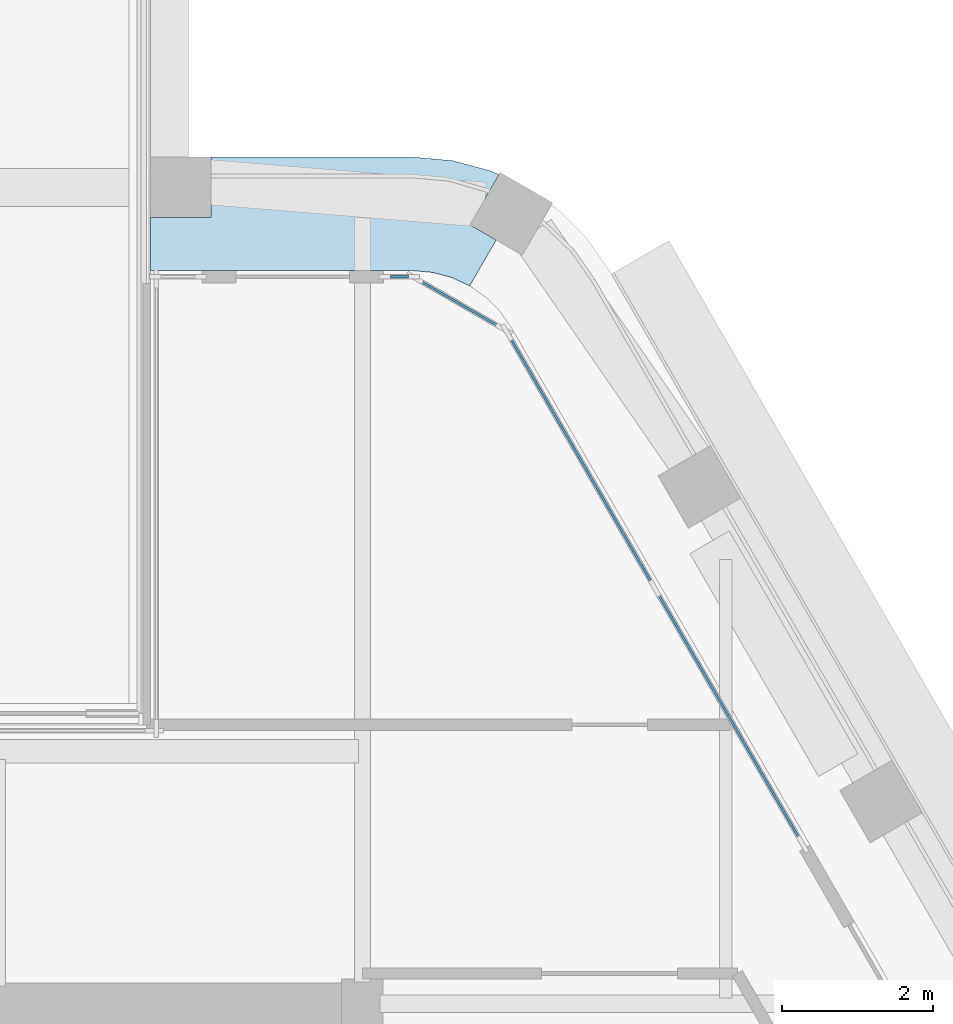
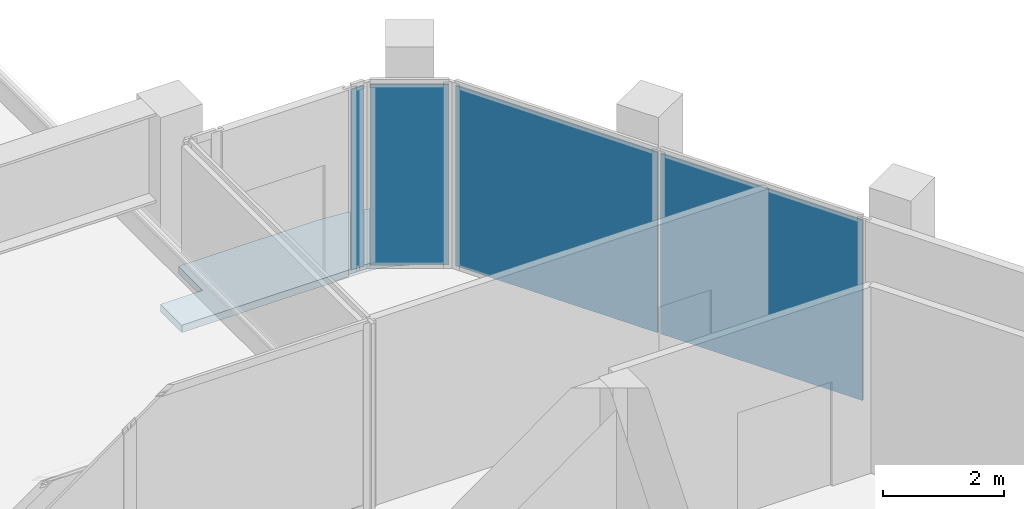
# One storey, part 9 of 16: 4 plates, 1 slab, 3 elements without a shape of their own.
"""IFC4 building model written with IfcOpenShell, lengths in metres."""

import ifcopenshell
import ifcopenshell.guid

model = None  # the IFC model being written
_history = None  # IfcOwnerHistory: only IFC2X3 demands one
_inside = {}  # id of a spatial element -> (the spatial element, [elements in it])
_under = {}  # id of a project, library or spatial element -> (it, [spatial elements below it])
_declared = {}  # id of a project -> (the project, [libraries it declares])
_typed = {}  # id of a type object -> (the type object, [elements of that type])
_made_of = {}  # id of a material, layer set ... -> (it, [elements and type objects made of it])


def new_model(schema):
    """Start an empty IFC model of exactly this schema.

    Asked for "IFC4X3", IfcOpenShell would pick the latest addendum, in which some entities
    have other attributes; the version numbers below select the first issue.
    IFC2X3 requires an IfcOwnerHistory on every rooted entity: one is made here for all.
    """
    global model, _history
    if schema == "IFC4X3":
        model = ifcopenshell.file(schema_version=(4, 3, 0, 0))
    else:
        model = ifcopenshell.file(schema=schema)
    _inside.clear()
    _under.clear()
    _declared.clear()
    _typed.clear()
    _made_of.clear()
    _history = None
    if model.schema == "IFC2X3":
        org = make("IfcOrganization", Name="unknown")
        user = make(
            "IfcPersonAndOrganization",
            ThePerson=make("IfcPerson", FamilyName="unknown"),
            TheOrganization=org,
        )
        app = make(
            "IfcApplication",
            ApplicationDeveloper=org,
            Version="unknown",
            ApplicationFullName="unknown",
            ApplicationIdentifier="unknown",
        )
        _history = make(
            "IfcOwnerHistory",
            OwningUser=user,
            OwningApplication=app,
            ChangeAction="ADDED",
            CreationDate=0,
        )
    return model


def make(cls, **values):
    """One entity of the class cls with the attributes given. An attribute that is None is left unset."""
    return model.create_entity(
        cls, **{name: value for name, value in values.items() if value is not None}
    )


def rooted(cls, **values):
    """An entity with a GlobalId (a new one), such as an element, a storey or a relation."""
    return make(cls, GlobalId=ifcopenshell.guid.new(), OwnerHistory=_history, **values)


def si_unit(unit_type, name, prefix=None):
    """IfcSIUnit, for example si_unit("LENGTHUNIT", "METRE", prefix="MILLI")."""
    return make("IfcSIUnit", UnitType=unit_type, Prefix=prefix, Name=name)


def assignment(units):
    """IfcUnitAssignment: the units of a project."""
    return None if units is None else make("IfcUnitAssignment", Units=units)


def point(xyz):
    """IfcCartesianPoint."""
    return None if xyz is None else make("IfcCartesianPoint", Coordinates=xyz)


def direction(xyz):
    """IfcDirection."""
    return None if xyz is None else make("IfcDirection", DirectionRatios=xyz)


def frame(location, z_axis=None, x_axis=None):
    """IfcAxis2Placement3D, a coordinate frame: its origin and axes. An axis left out is left unset."""
    return make(
        "IfcAxis2Placement3D",
        Location=point(location),
        Axis=direction(z_axis),
        RefDirection=direction(x_axis),
    )


def frame_2d(location, x_axis=None):
    """IfcAxis2Placement2D, a coordinate frame in the plane: its origin and x axis."""
    return make(
        "IfcAxis2Placement2D", Location=point(location), RefDirection=direction(x_axis)
    )


def origin():
    """The frame at (0, 0, 0) with its axes left unset."""
    return frame((0.0, 0.0, 0.0))


def origin_2d():
    """The frame at (0, 0) in the plane with its x axis left unset."""
    return frame_2d((0.0, 0.0))


def place(relative_to, where):
    """IfcLocalPlacement: puts the frame where relative to a parent placement (None: the world)."""
    return make(
        "IfcLocalPlacement", PlacementRelTo=relative_to, RelativePlacement=where
    )


def context(
    kind, dimensions, precision=None, world=None, true_north=None, identifier=None
):
    """IfcGeometricRepresentationContext, for example the 3D "Model" context."""
    return make(
        "IfcGeometricRepresentationContext",
        ContextIdentifier=identifier,
        ContextType=kind,
        CoordinateSpaceDimension=dimensions,
        Precision=precision,
        WorldCoordinateSystem=world,
        TrueNorth=true_north,
    )


def subcontext(parent, identifier, kind, view, scale=None):
    """IfcGeometricRepresentationSubContext, for example "Body" below "Model"."""
    return make(
        "IfcGeometricRepresentationSubContext",
        ContextIdentifier=identifier,
        ContextType=kind,
        ParentContext=parent,
        TargetScale=scale,
        TargetView=view,
    )


def project(units=None, contexts=None):
    """IfcProject with its units and contexts."""
    return rooted(
        "IfcProject",
        Name="project",
        RepresentationContexts=contexts,
        UnitsInContext=assignment(units),
    )


def spatial(cls, under=None, at=None, **own):
    """A site, building, storey or space (cls), placed at a placement, below another one or the project."""
    s = rooted(cls, ObjectPlacement=at, **own)
    if under is not None:
        _under.setdefault(under.id(), (under, []))[1].append(s)
    return s


def polyline(points):
    """IfcPolyline through the points."""
    return make("IfcPolyline", Points=[point(p) for p in points])


def profile(cls, at=None, kind="AREA", **sizes):
    """A parametric profile (cls). Its sizes go by their IFC names, for example OverallWidth=200.0."""
    return make(cls, ProfileType=kind, Position=at, **sizes)


def rectangle(**sizes):
    """IfcRectangleProfileDef."""
    return profile("IfcRectangleProfileDef", **sizes)


def outline(outer, holes=None, kind="AREA"):
    """IfcArbitraryClosedProfileDef: a profile drawn as a closed curve; with holes, ...WithVoids."""
    if holes is None:
        return make("IfcArbitraryClosedProfileDef", ProfileType=kind, OuterCurve=outer)
    return make(
        "IfcArbitraryProfileDefWithVoids",
        ProfileType=kind,
        OuterCurve=outer,
        InnerCurves=holes,
    )


def extrude(swept, where, along, depth):
    """IfcExtrudedAreaSolid: the profile swept, set in the frame where, extruded along a direction by depth."""
    return make(
        "IfcExtrudedAreaSolid",
        SweptArea=swept,
        Position=where,
        ExtrudedDirection=direction(along),
        Depth=depth,
    )


def shape(context_of_items, identifier, shape_type, items):
    """IfcShapeRepresentation: the items that make up one representation, for example the "Body"."""
    return make(
        "IfcShapeRepresentation",
        ContextOfItems=context_of_items,
        RepresentationIdentifier=identifier,
        RepresentationType=shape_type,
        Items=items,
    )


def material(Name=None, Category=None):
    """IfcMaterial."""
    return make("IfcMaterial", Name=Name, Category=Category)


def layer(
    of_material, thickness, ventilated=None, Name=None, Category=None, Priority=None
):
    """IfcMaterialLayer: one layer of a wall or slab, of a material (None: an air gap)."""
    return make(
        "IfcMaterialLayer",
        Material=of_material,
        LayerThickness=thickness,
        IsVentilated=ventilated,
        Name=Name,
        Category=Category,
        Priority=Priority,
    )


def layer_set(layers, Name=None):
    """IfcMaterialLayerSet."""
    return make("IfcMaterialLayerSet", MaterialLayers=layers, LayerSetName=Name)


def made_of(thing, what):
    """Note that an element or type object is made of a material, layer set ...; save() writes the relation."""
    if what is not None:
        _made_of.setdefault(what.id(), (what, []))[1].append(thing)
    return thing


def type_object(cls, material=None, **own):
    """A type object (cls), such as IfcWallType, which elements share."""
    return made_of(rooted(cls, **own), material)


def element(
    cls,
    number,
    at=None,
    inside=None,
    cuts=None,
    type_object=None,
    material=None,
    context=None,
    identifier="Body",
    shape_type=None,
    held_by="IfcProductDefinitionShape",
    body=None,
    shapes=None,
    **own,
):
    """One element of the class cls, such as IfcWall. Its Tag is "e" and its number.

    at: its placement. inside: the storey or other place that contains it. cuts: it is an
    opening in that element (IfcRelVoidsElement). A single representation is given by context,
    identifier, shape_type and body (its items); several are given by shapes. held_by: the class
    of the entity that holds the representations. save() writes the other relations.
    """
    e = rooted(cls, Tag="e%d" % number, ObjectPlacement=at, **own)
    if body is not None:
        shapes = [shape(context, identifier, shape_type, body)]
    if shapes is not None:
        e.Representation = make(held_by, Representations=shapes)
    if inside is not None:
        _inside.setdefault(inside.id(), (inside, []))[1].append(e)
    if cuts is not None:
        rooted(
            "IfcRelVoidsElement", RelatingBuildingElement=cuts, RelatedOpeningElement=e
        )
    if type_object is not None:
        _typed.setdefault(type_object.id(), (type_object, []))[1].append(e)
    return made_of(e, material)


def aggregate(whole, parts):
    """IfcRelAggregates: a whole, such as a stair, and the parts it consists of."""
    return rooted("IfcRelAggregates", RelatingObject=whole, RelatedObjects=parts)


def save(model, path):
    """Write the relations noted so far, then the file.

    IfcRelAggregates (storeys below a building ...), IfcRelContainedInSpatialStructure (elements
    in a storey), IfcRelDefinesByType, IfcRelAssociatesMaterial and IfcRelDeclares: one each for
    every whole, place, type object, material and project.
    """
    for whole, parts in _under.values():
        aggregate(whole, parts)
    for where, things in _inside.values():
        rooted(
            "IfcRelContainedInSpatialStructure",
            RelatedElements=things,
            RelatingStructure=where,
        )
    for kind, things in _typed.values():
        rooted("IfcRelDefinesByType", RelatedObjects=things, RelatingType=kind)
    for what, things in _made_of.values():
        rooted("IfcRelAssociatesMaterial", RelatedObjects=things, RelatingMaterial=what)
    for by, libraries in _declared.values():
        rooted("IfcRelDeclares", RelatingContext=by, RelatedDefinitions=libraries)
    model.write(path)


model = new_model("IFC4")

# Units and contexts
model_context = context("Model", 3, precision=1e-05, world=origin(), true_north=direction((0.0, 1.0)))
body_context = subcontext(model_context, "Body", "Model", "MODEL_VIEW")
ifc_project = project(units=[si_unit("LENGTHUNIT", "METRE"), si_unit("AREAUNIT", "SQUARE_METRE"), si_unit("VOLUMEUNIT", "CUBIC_METRE"), si_unit("PLANEANGLEUNIT", "RADIAN"), si_unit("MASSUNIT", "GRAM", prefix="KILO")], contexts=[model_context])

# Site, building, storey
site_placement = place(None, origin())
site = spatial("IfcSite", under=ifc_project, at=site_placement, CompositionType="ELEMENT")
building_placement = place(site_placement, origin())
building = spatial("IfcBuilding", under=site, at=building_placement, Name="Kolab Exchange Tower", CompositionType="ELEMENT")
storey_placement = place(building_placement, frame((0.0, 0.0, 269.60009765625)))
storey = spatial("IfcBuildingStorey", under=building, at=storey_placement, Name="L60", CompositionType="ELEMENT", Elevation=269.60009765625)

# Slab
ifc_material_1 = material(Name="Concrete C35/45", Category="concrete")
ifc_layer_1 = layer(ifc_material_1, 0.14990234375)
ifc_layer_set_1 = layer_set([ifc_layer_1], Name="Concrete C35/45")
slab_type = type_object("IfcSlabType", Name="LOGGIA SLAB 150", PredefinedType="FLOOR", material=ifc_layer_set_1)
slab_placement = place(storey_placement, frame((0.0, 0.0, -0.150146484375)))
element("IfcSlab", 1, at=slab_placement, inside=storey, type_object=slab_type, Name="slab/L60/loggia/6-0", PredefinedType="FLOOR", context=body_context, shape_type="SweptSolid", body=[
    extrude(outline(polyline([(11.01806640625, 19.083740234375), (11.367919921875, 19.68994140625), (11.021484375, 19.889892578125), (11.404052734375, 20.552490234375), (11.2939453125, 20.603759765625), (10.788818359375, 20.739013671875), (10.26806640625, 20.78466796875), (7.60009765625, 20.78466796875), (7.60009765625, 19.984619140625), (6.800048828125, 19.984619140625), (6.800048828125, 19.28466796875), (10.26806640625, 19.28466796875), (10.5283203125, 19.26171875), (10.781005859375, 19.194091796875), (11.01806640625, 19.083740234375)])), origin(), (0.0, 0.0, 1.0), 0.150146484375),
])

# Curtain wall, plate
ifc_material_2 = material(Name="Aluminium EN AW-6063 T6", Category="aluminium")
curtain_wall_type = type_object("IfcCurtainWallType", Name="UNITISED HIGH ZONE CURTAIN WALL", PredefinedType="NOTDEFINED", material=ifc_material_2)
curtain_wall_1_placement = place(storey_placement, origin())
curtain_wall_1 = element("IfcCurtainWall", 2, at=curtain_wall_1_placement, inside=storey, type_object=curtain_wall_type, Name="cw/L60/F1-r-2", PredefinedType="NOTDEFINED")
ifc_material_3 = material(Name="Clear insulated glazing unit", Category="glass")
ifc_layer_2 = layer(ifc_material_3, 0.030029296875)
ifc_layer_set_2 = layer_set([ifc_layer_2], Name="Clear insulated glazing unit")
plate_type = type_object("IfcPlateType", Name="UNITISED HIGH ZONE GLASS PANEL 30", PredefinedType="CURTAIN_PANEL", material=ifc_layer_set_2)
plate_1_placement = place(storey_placement, frame((10.0888671875, 19.20458984375, 0.06005859375), z_axis=(0.0, 0.0, 1.0), x_axis=(1.0, 0.0, 0.0)))
plate_1 = element("IfcPlate", 3, at=plate_1_placement, type_object=plate_type, Name="CW4 panel 1.1", PredefinedType="CURTAIN_PANEL", context=body_context, shape_type="SweptSolid", body=[
    extrude(rectangle(XDim=0.238037109375, YDim=0.030029296875, at=origin_2d()), origin(), (0.0, 0.0, 1.0), 3.6298828125),
])
aggregate(curtain_wall_1, [plate_1])

# Curtain wall, plates
curtain_wall_2_placement = place(storey_placement, origin())
curtain_wall_2 = element("IfcCurtainWall", 4, at=curtain_wall_2_placement, inside=storey, type_object=curtain_wall_type, Name="cw/L60/F2-1", PredefinedType="NOTDEFINED")
plate_2_placement = place(storey_placement, frame((12.48876953125, 16.778076171875, 0.06005859375), z_axis=(0.0, 0.0, 1.0), x_axis=(0.500000031681, -0.866025385493, 0.0)))
plate_2 = element("IfcPlate", 5, at=plate_2_placement, type_object=plate_type, Name="CW4 panel 1.1", PredefinedType="CURTAIN_PANEL", context=body_context, shape_type="SweptSolid", body=[
    extrude(rectangle(XDim=3.843994140625, YDim=0.030029296875, at=origin_2d()), origin(), (0.0, 0.0, 1.0), 3.6298828125),
])
plate_3_placement = place(storey_placement, frame((14.440673828125, 13.397216796875, 0.06005859375), z_axis=(0.0, 0.0, 1.0), x_axis=(0.500000031681, -0.866025385493, 0.0)))
plate_3 = element("IfcPlate", 6, at=plate_3_placement, type_object=plate_type, Name="CW4 panel 2.1", PredefinedType="CURTAIN_PANEL", context=body_context, shape_type="SweptSolid", body=[
    extrude(rectangle(XDim=3.843994140625, YDim=0.030029296875, at=origin_2d()), origin(), (0.0, 0.0, 1.0), 3.6298828125),
])
aggregate(curtain_wall_2, [plate_2, plate_3])

# Curtain wall, plate
curtain_wall_3_placement = place(storey_placement, origin())
curtain_wall_3 = element("IfcCurtainWall", 7, at=curtain_wall_3_placement, inside=storey, type_object=curtain_wall_type, Name="cw/L60/F1F2-corner", PredefinedType="NOTDEFINED")
plate_4_placement = place(storey_placement, frame((10.8828125, 18.849609375, 0.06005859375), z_axis=(0.0, 0.0, 1.0), x_axis=(0.866025390869, -0.50000002237, 0.0)))
plate_4 = element("IfcPlate", 8, at=plate_4_placement, type_object=plate_type, Name="CW4 panel 1.1", PredefinedType="CURTAIN_PANEL", context=body_context, shape_type="SweptSolid", body=[
    extrude(rectangle(XDim=1.300048828125, YDim=0.030029296875, at=origin_2d()), origin(), (0.0, 0.0, 1.0), 3.6298828125),
])
aggregate(curtain_wall_3, [plate_4])

save(model, "model.ifc")
